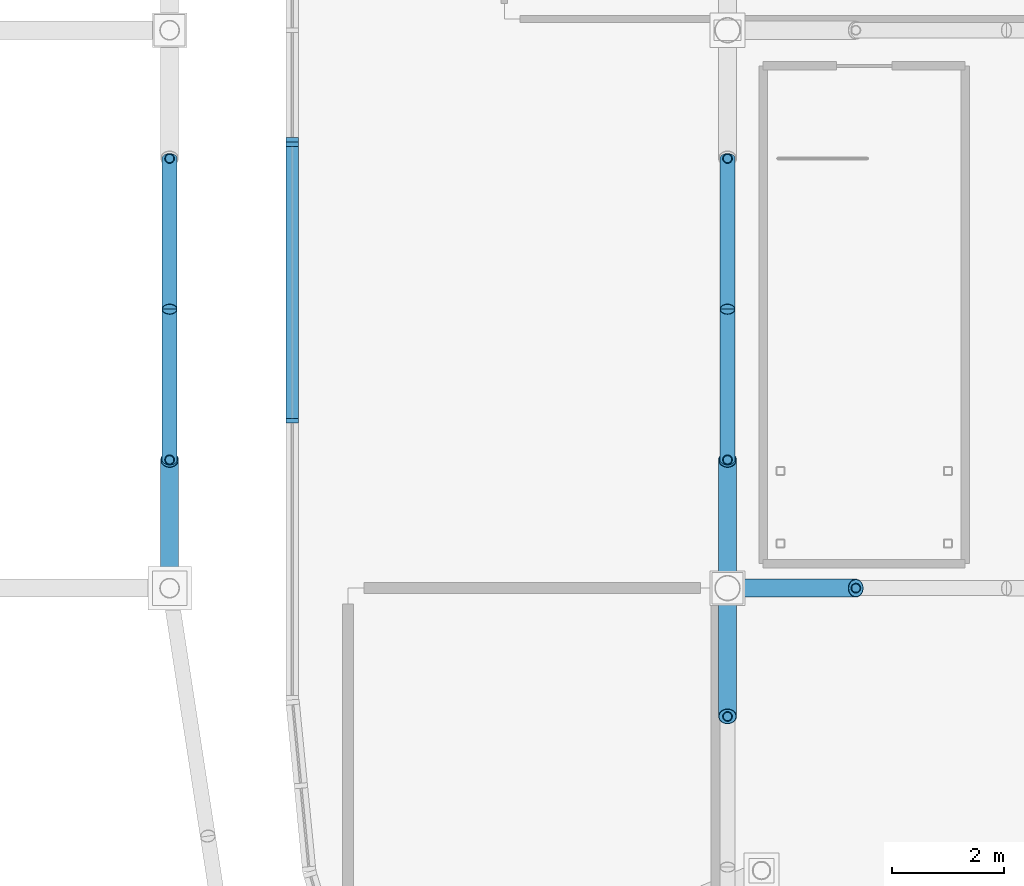
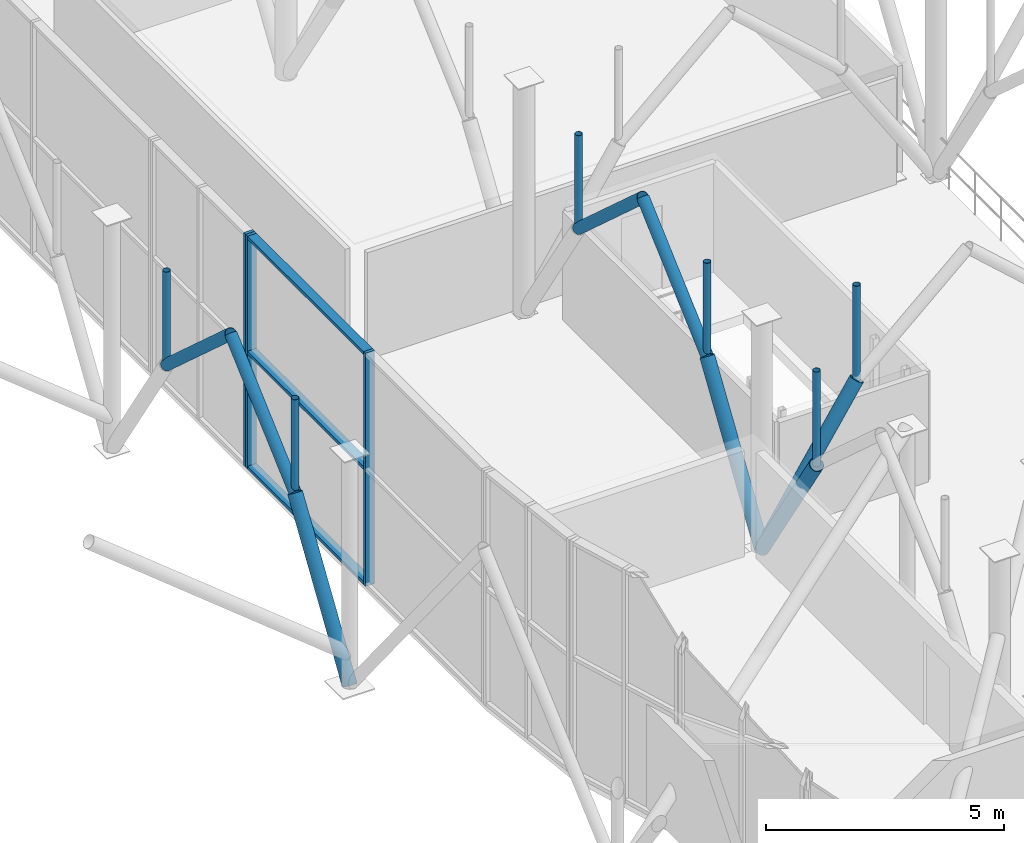
# One storey, part 32 of 109: 20 members, 2 elements without a shape of their own.
"""IFC4 building model written with IfcOpenShell, lengths in metres."""

from ifc_helpers import new_model, si_unit, derived_unit, direction, frame, origin, origin_2d_with_axis, place, context, subcontext, project, spatial, rectangle, hollow_circle, extrude, material, material_profile, profile_set, type_object, element, aggregate, save


model = new_model("IFC4")

# Units and contexts
model_context = context("Model", 3, precision=1e-05, world=origin(), true_north=direction((0.0, 1.0)))
body_context = subcontext(model_context, "Body", "Model", "MODEL_VIEW")
ifc_project = project(units=[si_unit("LENGTHUNIT", "METRE"), si_unit("AREAUNIT", "SQUARE_METRE"), si_unit("VOLUMEUNIT", "CUBIC_METRE"), si_unit("PLANEANGLEUNIT", "RADIAN"), si_unit("MASSUNIT", "GRAM", prefix="KILO"), derived_unit("THERMALTRANSMITTANCEUNIT", [(si_unit("POWERUNIT", "WATT"), 1), (si_unit("LENGTHUNIT", "METRE"), -2), (si_unit("THERMODYNAMICTEMPERATUREUNIT", "KELVIN"), -1)])], contexts=[model_context])

# Site, building, storey
site_placement = place(None, origin())
site = spatial("IfcSite", under=ifc_project, at=site_placement, CompositionType="ELEMENT")
building_placement = place(site_placement, origin())
building = spatial("IfcBuilding", under=site, at=building_placement, Name="Cinnabar Yard Market Hall", CompositionType="ELEMENT")
storey_placement = place(building_placement, frame((0.0, 0.0, 8.39990234375)))
storey = spatial("IfcBuildingStorey", under=building, at=storey_placement, Name="L02", CompositionType="ELEMENT", Elevation=8.39990234375)

# Curtain wall, members
ifc_material_1 = material(Name="Anodised bronze aluminium and low-E glass", Category="aluminium")
curtain_wall_type_1 = type_object("IfcCurtainWallType", Name="CW-CWH100x60", PredefinedType="NOTDEFINED", material=ifc_material_1)
curtain_wall_1_placement = place(storey_placement, origin())
curtain_wall_1 = element("IfcCurtainWall", 1, at=curtain_wall_1_placement, inside=storey, type_object=curtain_wall_type_1, Name="Market Hall West Upper Clerestory W1", PredefinedType="NOTDEFINED")
ifc_material_2 = material(Name="Anodised bronze aluminium", Category="aluminium")
ifc_material_profile_1 = material_profile(ifc_material_2, rectangle(XDim=0.219970703125, YDim=0.080078125, at=origin_2d_with_axis()), Name="MUL-CWH")
ifc_profile_set_1 = profile_set([ifc_material_profile_1], Name="Anodised bronze aluminium")
member_type_1 = type_object("IfcMemberType", Name="CWM-CWH", PredefinedType="MULLION", material=ifc_profile_set_1)
member_1_placement = place(storey_placement, frame((68.199951171875, 41.9599609375, 0.0), z_axis=(0.0, 0.0, 1.0), x_axis=(1.0, 0.0, 0.0)))
member_1 = element("IfcMember", 2, at=member_1_placement, type_object=member_type_1, Name="CWH100x60 mullion 1", PredefinedType="MULLION", context=body_context, shape_type="SweptSolid", body=[
    extrude(rectangle(XDim=0.219970703125, YDim=0.080078125, at=origin_2d_with_axis()), origin(), (0.0, 0.0, 1.0), 5.97998046875),
])
member_2_placement = place(storey_placement, frame((68.199951171875, 37.0, 0.0), z_axis=(0.0, 0.0, 1.0), x_axis=(1.0, 0.0, 0.0)))
member_2 = element("IfcMember", 3, at=member_2_placement, type_object=member_type_1, Name="CWH100x60 mullion 2", PredefinedType="MULLION", context=body_context, shape_type="SweptSolid", body=[
    extrude(rectangle(XDim=0.219970703125, YDim=0.080078125, at=origin_2d_with_axis()), origin(), (0.0, 0.0, 1.0), 5.97998046875),
])

# Curtain wall, member
curtain_wall_type_2 = type_object("IfcCurtainWallType", Name="CW-CWH040x60", PredefinedType="NOTDEFINED", material=ifc_material_1)
curtain_wall_2_placement = place(storey_placement, origin())
curtain_wall_2 = element("IfcCurtainWall", 4, at=curtain_wall_2_placement, inside=storey, type_object=curtain_wall_type_2, Name="Market Hall West Upper Clerestory WPT", PredefinedType="NOTDEFINED")
member_3_placement = place(storey_placement, frame((68.199951171875, 42.0400390625, 0.0), z_axis=(0.0, 0.0, 1.0), x_axis=(1.0, 0.0, 0.0)))
member_3 = element("IfcMember", 5, at=member_3_placement, type_object=member_type_1, Name="CWH040x60 mullion 3", PredefinedType="MULLION", context=body_context, shape_type="SweptSolid", body=[
    extrude(rectangle(XDim=0.219970703125, YDim=0.080078125, at=origin_2d_with_axis()), origin(), (0.0, 0.0, 1.0), 5.97998046875),
])
aggregate(curtain_wall_2, [member_3])

# Member
ifc_material_profile_2 = material_profile(ifc_material_2, rectangle(XDim=0.219970703125, YDim=0.080078125, at=origin_2d_with_axis()), Name="TRN-CWH")
ifc_profile_set_2 = profile_set([ifc_material_profile_2], Name="Anodised bronze aluminium")
member_type_2 = type_object("IfcMemberType", Name="CWT-CWH", PredefinedType="USERDEFINED", material=ifc_profile_set_2)
member_4_placement = place(storey_placement, frame((68.199951171875, 41.919921875, 0.0400390625), z_axis=(0.0, -1.0, 0.0), x_axis=(1.0, 0.0, 0.0)))
member_4 = element("IfcMember", 6, at=member_4_placement, type_object=member_type_2, Name="CWH100x60 transom 1.1", ObjectType="TRANSOM", PredefinedType="USERDEFINED", context=body_context, shape_type="SweptSolid", body=[
    extrude(rectangle(XDim=0.219970703125, YDim=0.080078125, at=origin_2d_with_axis()), origin(), (0.0, 0.0, 1.0), 4.8798828125),
])

member_5_placement = place(storey_placement, frame((68.199951171875, 41.919921875, 2.989990234375), z_axis=(0.0, -1.0, 0.0), x_axis=(1.0, 0.0, 0.0)))
member_5 = element("IfcMember", 7, at=member_5_placement, type_object=member_type_2, Name="CWH100x60 transom 1.2", ObjectType="TRANSOM", PredefinedType="USERDEFINED", context=body_context, shape_type="SweptSolid", body=[
    extrude(rectangle(XDim=0.219970703125, YDim=0.080078125, at=origin_2d_with_axis()), origin(), (0.0, 0.0, 1.0), 4.8798828125),
])

member_6_placement = place(storey_placement, frame((68.199951171875, 41.919921875, 5.940185546875), z_axis=(0.0, -1.0, 0.0), x_axis=(1.0, 0.0, 0.0)))
member_6 = element("IfcMember", 8, at=member_6_placement, type_object=member_type_2, Name="CWH100x60 transom 1.3", ObjectType="TRANSOM", PredefinedType="USERDEFINED", context=body_context, shape_type="SweptSolid", body=[
    extrude(rectangle(XDim=0.219970703125, YDim=0.080078125, at=origin_2d_with_axis()), origin(), (0.0, 0.0, 1.0), 4.8798828125),
])

aggregate(curtain_wall_1, [member_1, member_2, member_4, member_5, member_6])

# Members
ifc_material_3 = material(Name="Spotted-gum glulam-clad steel Grade 350 (350 MPa)", Category="steel")
ifc_material_profile_3 = material_profile(ifc_material_3, hollow_circle(Radius=0.136474609375, WallThickness=0.00927734375, at=origin_2d_with_axis()), Name="273.1x9.3CHS")
ifc_profile_set_3 = profile_set([ifc_material_profile_3], Name="Spotted-gum glulam-clad steel Grade 350 (350 MPa)")
member_type_3 = type_object("IfcMemberType", Name="MB-AR01", PredefinedType="USERDEFINED", material=ifc_profile_set_3)
for number, where, z_axis, x_axis, name in (
    (9, (76.0, 36.300048828125, 3.550048828125), (0.0, 0.743297488271, 0.668961018244), (-1.0, 0.0, 0.0), "Pointed Arch Rib 0004"),
    (10, (76.0, 41.699951171875, 3.550048828125), (0.0, -0.743297488271, 0.668961018244), (1.0, 0.0, 0.0), "Pointed Arch Rib 0008"),
):
    element("IfcMember", number, at=place(storey_placement, frame(where, z_axis=z_axis, x_axis=x_axis)), inside=storey, type_object=member_type_3, Name=name, ObjectType="ARCH RIB", PredefinedType="USERDEFINED", context=body_context, shape_type="SweptSolid", body=[
        extrude(hollow_circle(Radius=0.136474609375, WallThickness=0.00927734375, at=origin_2d_with_axis()), origin(), (0.0, 0.0, 1.0), 3.63232421875),
    ])
ifc_material_profile_4 = material_profile(ifc_material_3, hollow_circle(Radius=0.136474609375, WallThickness=0.00927734375, at=origin_2d_with_axis()), Name="273.1x9.3CHS")
ifc_profile_set_4 = profile_set([ifc_material_profile_4], Name="Spotted-gum glulam-clad steel Grade 350 (350 MPa)")
member_type_4 = type_object("IfcMemberType", Name="MB-AR01E", PredefinedType="USERDEFINED", material=ifc_profile_set_4)
for number, where, z_axis, x_axis, name in (
    (11, (66.0, 36.300048828125, 3.550048828125), (0.0, 0.743297488271, 0.668961018244), (-1.0, 0.0, 0.0), "Pointed Arch Rib 0169"),
    (12, (66.0, 41.699951171875, 3.550048828125), (0.0, -0.743297488271, 0.668961018244), (1.0, 0.0, 0.0), "Pointed Arch Rib 0172"),
):
    element("IfcMember", number, at=place(storey_placement, frame(where, z_axis=z_axis, x_axis=x_axis)), inside=storey, type_object=member_type_4, Name=name, ObjectType="ARCH RIB", PredefinedType="USERDEFINED", context=body_context, shape_type="SweptSolid", body=[
        extrude(hollow_circle(Radius=0.136474609375, WallThickness=0.00927734375, at=origin_2d_with_axis()), origin(), (0.0, 0.0, 1.0), 3.63232421875),
    ])
ifc_material_profile_5 = material_profile(ifc_material_3, hollow_circle(Radius=0.161865234375, WallThickness=0.009521484375, at=origin_2d_with_axis()), Name="323.9x9.5CHS")
ifc_profile_set_5 = profile_set([ifc_material_profile_5], Name="Spotted-gum glulam-clad steel Grade 350 (350 MPa)")
member_type_5 = type_object("IfcMemberType", Name="MB-ST01", PredefinedType="STRUT", material=ifc_profile_set_5)
for number, where, z_axis, x_axis, name in (
    (13, (76.0, 34.0, 0.0), (0.543744165176, 0.0, 0.839251024925), (0.0, 1.0, 0.0), "Curved Branch Arm Lower 0003"),
    (14, (76.0, 34.0, 0.0), (0.0, 0.543744165176, 0.839251024925), (-1.0, 0.0, 0.0), "Curved Branch Arm Lower 0004"),
    (15, (76.0, 34.0, 0.0), (0.0, -0.543744165176, 0.839251024925), (1.0, 0.0, 0.0), "Curved Branch Arm Lower 0005"),
):
    element("IfcMember", number, at=place(storey_placement, frame(where, z_axis=z_axis, x_axis=x_axis)), inside=storey, type_object=member_type_5, Name=name, PredefinedType="STRUT", context=body_context, shape_type="SweptSolid", body=[
        extrude(hollow_circle(Radius=0.161865234375, WallThickness=0.009521484375, at=origin_2d_with_axis()), origin(), (0.0, 0.0, 1.0), 4.22998046875),
    ])
ifc_material_profile_6 = material_profile(ifc_material_3, hollow_circle(Radius=0.161865234375, WallThickness=0.009521484375, at=origin_2d_with_axis()), Name="323.9x9.5CHS")
ifc_profile_set_6 = profile_set([ifc_material_profile_6], Name="Spotted-gum glulam-clad steel Grade 350 (350 MPa)")
member_type_6 = type_object("IfcMemberType", Name="MB-ST01E", PredefinedType="STRUT", material=ifc_profile_set_6)
member_7_placement = place(storey_placement, frame((66.0, 34.0, 0.0), z_axis=(0.0, 0.543744165176, 0.839251024925), x_axis=(-1.0, 0.0, 0.0)))
element("IfcMember", 16, at=member_7_placement, inside=storey, type_object=member_type_6, Name="Curved Branch Arm Lower 0169", PredefinedType="STRUT", context=body_context, shape_type="SweptSolid", body=[
    extrude(hollow_circle(Radius=0.161865234375, WallThickness=0.009521484375, at=origin_2d_with_axis()), origin(), (0.0, 0.0, 1.0), 4.22998046875),
])
ifc_material_4 = material(Name="Cold-formed steel C350L0", Category="steel")
ifc_material_profile_7 = material_profile(ifc_material_4, hollow_circle(Radius=0.084228515625, WallThickness=0.00634765625, at=origin_2d_with_axis()), Name="168.3x6.4CHS")
ifc_profile_set_7 = profile_set([ifc_material_profile_7], Name="Cold-formed steel C350L0")
member_type_7 = type_object("IfcMemberType", Name="MB-WB01", PredefinedType="STRUT", material=ifc_profile_set_7)
for number, where, z_axis, x_axis, name in (
    (17, (78.300048828125, 34.0, 3.550048828125), (0.0, 0.0, 1.0), (1.0, 0.0, 0.0), "Arch Spandrel Post 0003"),
    (18, (76.0, 36.300048828125, 3.550048828125), (0.0, 0.0, 1.0), (1.0, 0.0, 0.0), "Arch Spandrel Post 0004"),
    (19, (76.0, 31.699951171875, 3.550048828125), (0.0, 0.0, 1.0), (1.0, 0.0, 0.0), "Arch Spandrel Post 0005"),
    (20, (76.0, 41.699951171875, 3.550048828125), (0.0, 0.0, 1.0), (1.0, 0.0, 0.0), "Arch Spandrel Post 0008"),
):
    element("IfcMember", number, at=place(storey_placement, frame(where, z_axis=z_axis, x_axis=x_axis)), inside=storey, type_object=member_type_7, Name=name, PredefinedType="STRUT", context=body_context, shape_type="SweptSolid", body=[
        extrude(hollow_circle(Radius=0.084228515625, WallThickness=0.00634765625, at=origin_2d_with_axis()), origin(), (0.0, 0.0, 1.0), 2.429931640625),
    ])
ifc_material_profile_8 = material_profile(ifc_material_4, hollow_circle(Radius=0.084228515625, WallThickness=0.00634765625, at=origin_2d_with_axis()), Name="168.3x6.4CHS")
ifc_profile_set_8 = profile_set([ifc_material_profile_8], Name="Cold-formed steel C350L0")
member_type_8 = type_object("IfcMemberType", Name="MB-WB01E", PredefinedType="STRUT", material=ifc_profile_set_8)
for number, where, z_axis, x_axis, name in (
    (21, (66.0, 36.300048828125, 3.550048828125), (0.0, 0.0, 1.0), (1.0, 0.0, 0.0), "Arch Spandrel Post 0169"),
    (22, (66.0, 41.699951171875, 3.550048828125), (0.0, 0.0, 1.0), (1.0, 0.0, 0.0), "Arch Spandrel Post 0172"),
):
    element("IfcMember", number, at=place(storey_placement, frame(where, z_axis=z_axis, x_axis=x_axis)), inside=storey, type_object=member_type_8, Name=name, PredefinedType="STRUT", context=body_context, shape_type="SweptSolid", body=[
        extrude(hollow_circle(Radius=0.084228515625, WallThickness=0.00634765625, at=origin_2d_with_axis()), origin(), (0.0, 0.0, 1.0), 2.429931640625),
    ])

save(model, "model.ifc")
